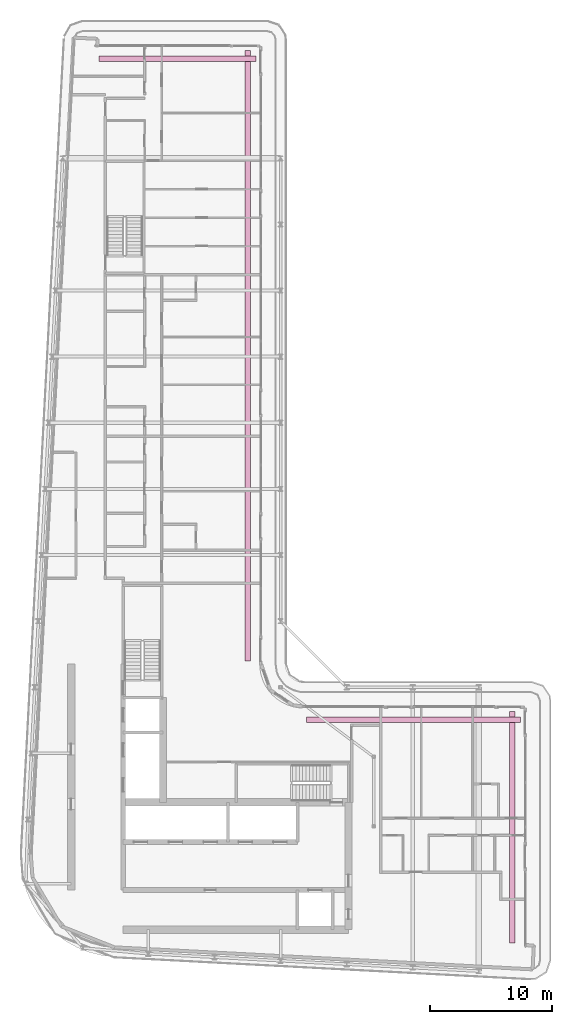
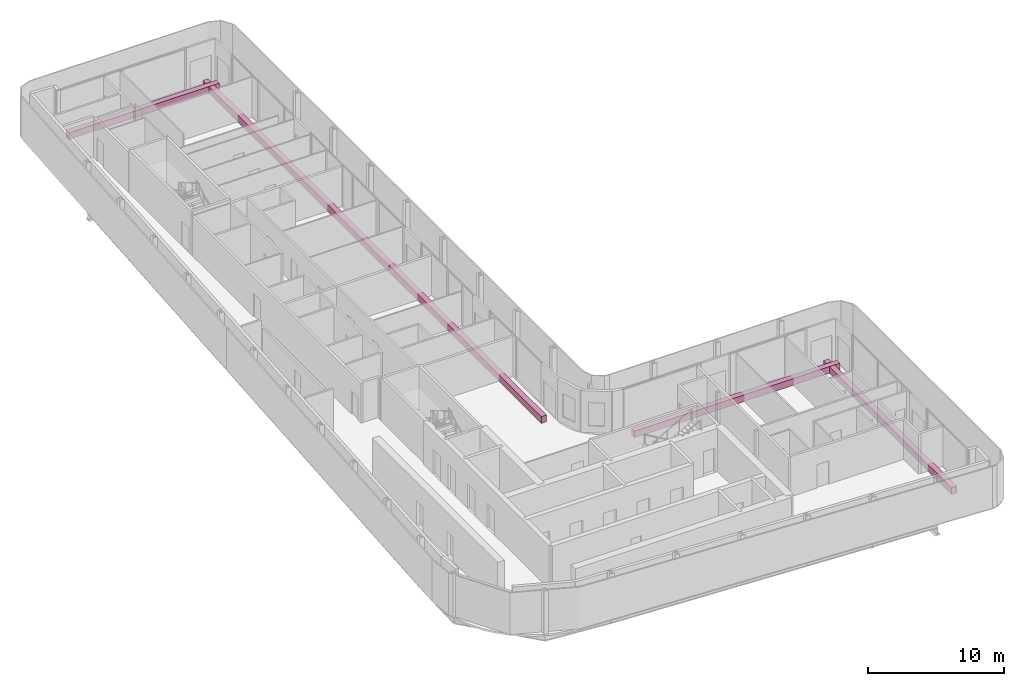
# One storey, part 21 of 21: 4 furniture elements.
"""IFC4 building model written with IfcOpenShell, lengths in metres."""

from ifc_helpers import new_model, si_unit, direction, frame, origin, origin_2d, place, context, subcontext, project, spatial, rectangle, extrude, material, type_object, element, save


model = new_model("IFC4")

# Units and contexts
model_context = context("Model", 3, precision=1e-05, world=origin(), true_north=direction((0.0, 1.0)))
body_context = subcontext(model_context, "Body", "Model", "MODEL_VIEW")
ifc_project = project(units=[si_unit("LENGTHUNIT", "METRE"), si_unit("AREAUNIT", "SQUARE_METRE"), si_unit("VOLUMEUNIT", "CUBIC_METRE"), si_unit("PLANEANGLEUNIT", "RADIAN"), si_unit("MASSUNIT", "GRAM", prefix="KILO")], contexts=[model_context])

# Site, building, storey
site_placement = place(None, origin())
site = spatial("IfcSite", under=ifc_project, at=site_placement, CompositionType="ELEMENT")
building_placement = place(site_placement, origin())
building = spatial("IfcBuilding", under=site, at=building_placement, Name="Kheshtan School and Residences Tower", CompositionType="ELEMENT")
storey_placement = place(building_placement, frame((0.0, 0.0, 302.0)))
storey = spatial("IfcBuildingStorey", under=building, at=storey_placement, Name="L71", CompositionType="ELEMENT", Elevation=302.0)

# Furniture
ifc_material = material(Name="Precast concrete C30/37 in terracotta finish", Category="masonry")
furniture_type = type_object("IfcFurnitureType", Name="Planter trough", AssemblyPlace="NOTDEFINED", PredefinedType="USERDEFINED", material=ifc_material)
furniture_1_placement = place(storey_placement, frame((39.196044921875, 96.925048828125, 0.0), z_axis=(0.0, 0.0, 1.0), x_axis=(1.0, 0.0, 0.0)))
element("IfcFurniture", 1, at=furniture_1_placement, inside=storey, type_object=furniture_type, Name="Planter L71", ObjectType="PLANTER", PredefinedType="USERDEFINED", context=body_context, shape_type="SweptSolid", body=[
    extrude(rectangle(XDim=12.80810546875, YDim=0.449951171875, at=origin_2d()), origin(), (0.0, 0.0, 1.0), 0.60009765625),
])
furniture_2_placement = place(storey_placement, frame((44.925048828125, 72.6650390625, 0.0), z_axis=(0.0, 0.0, 1.0), x_axis=(0.0, -1.0, 0.0)))
element("IfcFurniture", 2, at=furniture_2_placement, inside=storey, type_object=furniture_type, Name="Planter L71", ObjectType="PLANTER", PredefinedType="USERDEFINED", context=body_context, shape_type="SweptSolid", body=[
    extrude(rectangle(XDim=49.8701171875, YDim=0.449951171875, at=origin_2d()), origin(), (0.0, 0.0, 1.0), 0.60009765625),
])
furniture_3_placement = place(storey_placement, frame((58.465087890625, 42.925048828125, 0.0), z_axis=(0.0, 0.0, 1.0), x_axis=(1.0, 0.0, 0.0)))
element("IfcFurniture", 3, at=furniture_3_placement, inside=storey, type_object=furniture_type, Name="Planter L71", ObjectType="PLANTER", PredefinedType="USERDEFINED", context=body_context, shape_type="SweptSolid", body=[
    extrude(rectangle(XDim=17.469970703125, YDim=0.449951171875, at=origin_2d()), origin(), (0.0, 0.0, 1.0), 0.60009765625),
])
furniture_4_placement = place(storey_placement, frame((66.52490234375, 34.159912109375, 0.0), z_axis=(0.0, 0.0, 1.0), x_axis=(0.0, -1.0, 0.0)))
element("IfcFurniture", 4, at=furniture_4_placement, inside=storey, type_object=furniture_type, Name="Planter L71", ObjectType="PLANTER", PredefinedType="USERDEFINED", context=body_context, shape_type="SweptSolid", body=[
    extrude(rectangle(XDim=18.881103515625, YDim=0.449951171875, at=origin_2d()), origin(), (0.0, 0.0, 1.0), 0.60009765625),
])

save(model, "model.ifc")
